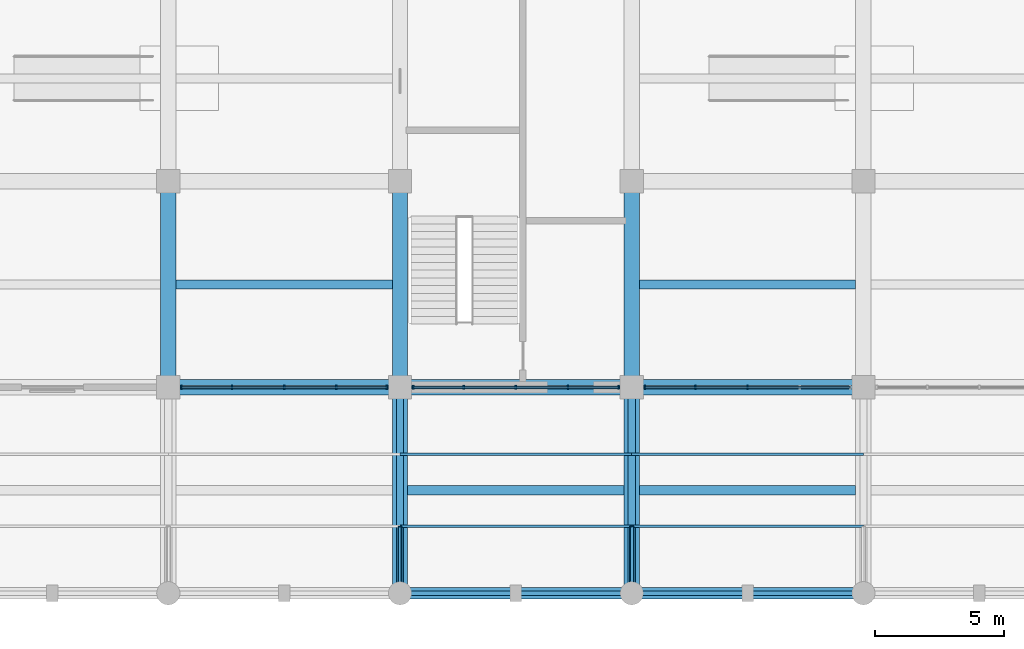
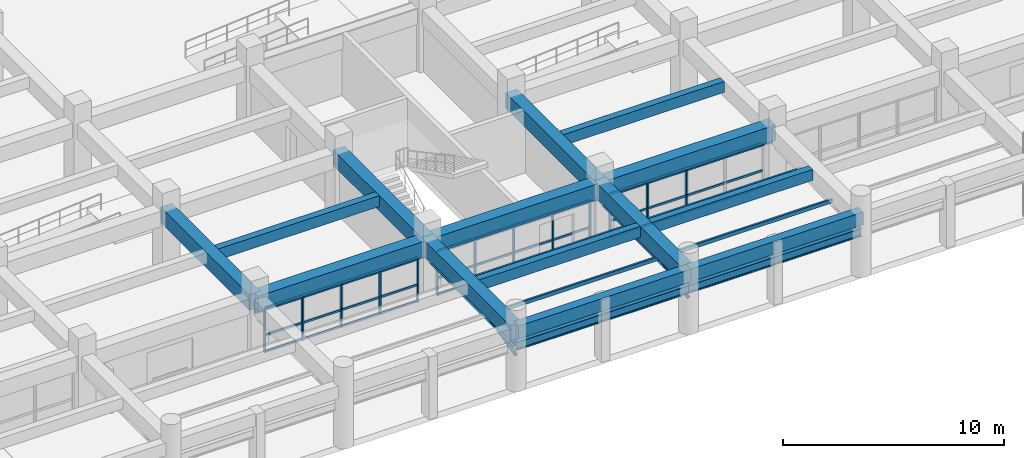
# One storey, part 5 of 40: 33 members, 16 beams, 3 elements without a shape of their own.
"""IFC4 building model written with IfcOpenShell, lengths in metres."""

from ifc_helpers import new_model, si_unit, direction, frame, origin, origin_2d, place, context, subcontext, project, spatial, rectangle, hollow_rectangle, hollow_circle, i_section, extrude, material, material_profile, profile_set, type_object, element, aggregate, save


model = new_model("IFC4")

# Units and contexts
model_context = context("Model", 3, precision=1e-05, world=origin(), true_north=direction((0.0, 1.0)))
body_context = subcontext(model_context, "Body", "Model", "MODEL_VIEW")
ifc_project = project(units=[si_unit("LENGTHUNIT", "METRE"), si_unit("AREAUNIT", "SQUARE_METRE"), si_unit("VOLUMEUNIT", "CUBIC_METRE"), si_unit("PLANEANGLEUNIT", "RADIAN"), si_unit("MASSUNIT", "GRAM", prefix="KILO")], contexts=[model_context])

# Site, building, storey
site_placement = place(None, origin())
site = spatial("IfcSite", under=ifc_project, at=site_placement, CompositionType="ELEMENT")
building_placement = place(site_placement, origin())
building = spatial("IfcBuilding", under=site, at=building_placement, Name="Zaverband Oceanarium and Marine Research Institute", CompositionType="ELEMENT")
storey_placement = place(building_placement, origin())
storey = spatial("IfcBuildingStorey", under=building, at=storey_placement, Name="L00", CompositionType="ELEMENT", Elevation=0.0)

# Beams
ifc_material_1 = material(Name="Concrete C40/50", Category="concrete")
ifc_material_profile_1 = material_profile(ifc_material_1, rectangle(XDim=0.60009765625, YDim=0.85009765625, at=origin_2d()), Name="RC600x850")
ifc_profile_set_1 = profile_set([ifc_material_profile_1], Name="Concrete C40/50")
beam_type_1 = type_object("IfcBeamType", Name="BM-600x850", PredefinedType="BEAM", material=ifc_profile_set_1)
for number, where, z_axis, x_axis, name in (
    (1, (72.0, 8.0, 3.02490234375), (1.0, 0.0, 0.0), (0.0, 1.0, 0.0), "Primary floor girder BM-600x850"),
    (2, (81.0, 8.0, 3.02490234375), (1.0, 0.0, 0.0), (0.0, 1.0, 0.0), "Primary floor girder BM-600x850"),
    (3, (90.0, 8.0, 3.02490234375), (1.0, 0.0, 0.0), (0.0, 1.0, 0.0), "Primary floor girder BM-600x850"),
):
    element("IfcBeam", number, at=place(storey_placement, frame(where, z_axis=z_axis, x_axis=x_axis)), inside=storey, type_object=beam_type_1, Name=name, PredefinedType="BEAM", context=body_context, shape_type="SweptSolid", body=[
        extrude(rectangle(XDim=0.60009765625, YDim=0.85009765625, at=origin_2d()), origin(), (0.0, 0.0, 1.0), 9.0),
    ])
for number, where, z_axis, x_axis, name in (
    (4, (72.0, 8.0, 3.02490234375), (0.0, 1.0, 0.0), (-1.0, 0.0, 0.0), "Primary floor girder BM-600x850"),
    (5, (81.0, 0.0, 3.02490234375), (0.0, 1.0, 0.0), (-1.0, 0.0, 0.0), "Primary floor girder BM-600x850"),
    (6, (81.0, 8.0, 3.02490234375), (0.0, 1.0, 0.0), (-1.0, 0.0, 0.0), "Primary floor girder BM-600x850"),
    (7, (90.0, 0.0, 3.02490234375), (0.0, 1.0, 0.0), (-1.0, 0.0, 0.0), "Primary floor girder BM-600x850"),
    (8, (90.0, 8.0, 3.02490234375), (0.0, 1.0, 0.0), (-1.0, 0.0, 0.0), "Primary floor girder BM-600x850"),
):
    element("IfcBeam", number, at=place(storey_placement, frame(where, z_axis=z_axis, x_axis=x_axis)), inside=storey, type_object=beam_type_1, Name=name, PredefinedType="BEAM", context=body_context, shape_type="SweptSolid", body=[
        extrude(rectangle(XDim=0.60009765625, YDim=0.85009765625, at=origin_2d()), origin(), (0.0, 0.0, 1.0), 8.0),
    ])

# Members
ifc_material_2 = material(Name="Steel S355", Category="steel")
ifc_material_profile_2 = material_profile(ifc_material_2, hollow_rectangle(XDim=0.14990234375, YDim=0.25, WallThickness=0.010009765625, at=origin_2d()), Name="RHS250x150x10")
ifc_profile_set_2 = profile_set([ifc_material_profile_2], Name="Steel S355")
member_type_1 = type_object("IfcMemberType", Name="CHD-RHS250", PredefinedType="CHORD", material=ifc_profile_set_2)
for number, where, z_axis, x_axis, name in (
    (9, (72.0, 8.0, 2.4599609375), (1.0, 0.0, 0.0), (0.0, 1.0, 0.0), "Truss / crown chord CHD-RHS250"),
    (10, (81.0, 8.0, 2.4599609375), (1.0, 0.0, 0.0), (0.0, 1.0, 0.0), "Truss / crown chord CHD-RHS250"),
    (11, (90.0, 8.0, 2.4599609375), (1.0, 0.0, 0.0), (0.0, 1.0, 0.0), "Truss / crown chord CHD-RHS250"),
):
    element("IfcMember", number, at=place(storey_placement, frame(where, z_axis=z_axis, x_axis=x_axis)), inside=storey, type_object=member_type_1, Name=name, PredefinedType="CHORD", context=body_context, shape_type="SweptSolid", body=[
        extrude(hollow_rectangle(XDim=0.14990234375, YDim=0.25, WallThickness=0.010009765625, at=origin_2d()), origin(), (0.0, 0.0, 1.0), 9.0),
    ])

# Beams
ifc_material_profile_3 = material_profile(ifc_material_1, rectangle(XDim=0.35009765625, YDim=0.60009765625, at=origin_2d()), Name="RC350x600")
ifc_profile_set_3 = profile_set([ifc_material_profile_3], Name="Concrete C40/50")
beam_type_2 = type_object("IfcBeamType", Name="JST-350x600", PredefinedType="JOIST", material=ifc_profile_set_3)
for number, where, z_axis, x_axis, name in (
    (12, (72.300048828125, 12.0, 3.14990234375), (1.0, 0.0, 0.0), (0.0, 1.0, 0.0), "Secondary floor joist JST-350x600"),
    (13, (81.300048828125, 4.0, 3.14990234375), (1.0, 0.0, 0.0), (0.0, 1.0, 0.0), "Secondary floor joist JST-350x600"),
    (14, (90.300048828125, 4.0, 3.14990234375), (1.0, 0.0, 0.0), (0.0, 1.0, 0.0), "Secondary floor joist JST-350x600"),
    (15, (90.300048828125, 12.0, 3.14990234375), (1.0, 0.0, 0.0), (0.0, 1.0, 0.0), "Secondary floor joist JST-350x600"),
):
    element("IfcBeam", number, at=place(storey_placement, frame(where, z_axis=z_axis, x_axis=x_axis)), inside=storey, type_object=beam_type_2, Name=name, PredefinedType="JOIST", context=body_context, shape_type="SweptSolid", body=[
        extrude(rectangle(XDim=0.35009765625, YDim=0.60009765625, at=origin_2d()), origin(), (0.0, 0.0, 1.0), 8.39990234375),
    ])

# Curtain wall, members
ifc_material_3 = material(Name="Thermally broken anodized aluminium and solar-control glass", Category="aluminium")
curtain_wall_type = type_object("IfcCurtainWallType", Name="CW-UNIT-1800", PredefinedType="NOTDEFINED", material=ifc_material_3)
curtain_wall_1_placement = place(storey_placement, origin())
curtain_wall_1 = element("IfcCurtainWall", 16, at=curtain_wall_1_placement, inside=storey, type_object=curtain_wall_type, Name="Unitised glazed curtain wall CW-003", PredefinedType="NOTDEFINED")
ifc_material_4 = material(Name="Thermally broken anodized aluminium", Category="aluminium")
ifc_material_profile_4 = material_profile(ifc_material_4, rectangle(XDim=0.070068359375, YDim=0.14990234375, at=origin_2d()), Name="AL-MUL-70x150")
ifc_profile_set_4 = profile_set([ifc_material_profile_4], Name="Thermally broken anodized aluminium")
member_type_2 = type_object("IfcMemberType", Name="MUL-70x150", PredefinedType="MULLION", material=ifc_profile_set_4)
member_1_placement = place(storey_placement, frame((72.514892578125, 8.0, 0.0), z_axis=(0.0, 0.0, 1.0), x_axis=(1.0, 0.0, 0.0)))
member_1 = element("IfcMember", 17, at=member_1_placement, type_object=member_type_2, Name="Curtain wall vertical mullion MUL-70x150", PredefinedType="MULLION", context=body_context, shape_type="SweptSolid", body=[
    extrude(rectangle(XDim=0.070068359375, YDim=0.14990234375, at=origin_2d()), origin(), (0.0, 0.0, 1.0), 2.489990234375),
])
member_2_placement = place(storey_placement, frame((74.4775390625, 8.0, 0.0), z_axis=(0.0, 0.0, 1.0), x_axis=(1.0, 0.0, 0.0)))
member_2 = element("IfcMember", 18, at=member_2_placement, type_object=member_type_2, Name="Curtain wall vertical mullion MUL-70x150", PredefinedType="MULLION", context=body_context, shape_type="SweptSolid", body=[
    extrude(rectangle(XDim=0.070068359375, YDim=0.14990234375, at=origin_2d()), origin(), (0.0, 0.0, 1.0), 2.489990234375),
])
member_3_placement = place(storey_placement, frame((76.5, 8.0, 0.0), z_axis=(0.0, 0.0, 1.0), x_axis=(1.0, 0.0, 0.0)))
member_3 = element("IfcMember", 19, at=member_3_placement, type_object=member_type_2, Name="Curtain wall vertical mullion MUL-70x150", PredefinedType="MULLION", context=body_context, shape_type="SweptSolid", body=[
    extrude(rectangle(XDim=0.070068359375, YDim=0.14990234375, at=origin_2d()), origin(), (0.0, 0.0, 1.0), 2.489990234375),
])
member_4_placement = place(storey_placement, frame((78.5224609375, 8.0, 0.0), z_axis=(0.0, 0.0, 1.0), x_axis=(1.0, 0.0, 0.0)))
member_4 = element("IfcMember", 20, at=member_4_placement, type_object=member_type_2, Name="Curtain wall vertical mullion MUL-70x150", PredefinedType="MULLION", context=body_context, shape_type="SweptSolid", body=[
    extrude(rectangle(XDim=0.070068359375, YDim=0.14990234375, at=origin_2d()), origin(), (0.0, 0.0, 1.0), 2.489990234375),
])
member_5_placement = place(storey_placement, frame((80.485107421875, 8.0, 0.0), z_axis=(0.0, 0.0, 1.0), x_axis=(1.0, 0.0, 0.0)))
member_5 = element("IfcMember", 21, at=member_5_placement, type_object=member_type_2, Name="Curtain wall vertical mullion MUL-70x150", PredefinedType="MULLION", context=body_context, shape_type="SweptSolid", body=[
    extrude(rectangle(XDim=0.070068359375, YDim=0.14990234375, at=origin_2d()), origin(), (0.0, 0.0, 1.0), 2.489990234375),
])

curtain_wall_2_placement = place(storey_placement, origin())
curtain_wall_2 = element("IfcCurtainWall", 22, at=curtain_wall_2_placement, inside=storey, type_object=curtain_wall_type, Name="Unitised glazed curtain wall CW-004", PredefinedType="NOTDEFINED")
member_6_placement = place(storey_placement, frame((81.514892578125, 8.0, 0.0), z_axis=(0.0, 0.0, 1.0), x_axis=(1.0, 0.0, 0.0)))
member_6 = element("IfcMember", 23, at=member_6_placement, type_object=member_type_2, Name="Curtain wall vertical mullion MUL-70x150", PredefinedType="MULLION", context=body_context, shape_type="SweptSolid", body=[
    extrude(rectangle(XDim=0.070068359375, YDim=0.14990234375, at=origin_2d()), origin(), (0.0, 0.0, 1.0), 2.489990234375),
])
member_7_placement = place(storey_placement, frame((83.4775390625, 8.0, 0.0), z_axis=(0.0, 0.0, 1.0), x_axis=(1.0, 0.0, 0.0)))
member_7 = element("IfcMember", 24, at=member_7_placement, type_object=member_type_2, Name="Curtain wall vertical mullion MUL-70x150", PredefinedType="MULLION", context=body_context, shape_type="SweptSolid", body=[
    extrude(rectangle(XDim=0.070068359375, YDim=0.14990234375, at=origin_2d()), origin(), (0.0, 0.0, 1.0), 2.489990234375),
])
member_8_placement = place(storey_placement, frame((85.5, 8.0, 0.0), z_axis=(0.0, 0.0, 1.0), x_axis=(1.0, 0.0, 0.0)))
member_8 = element("IfcMember", 25, at=member_8_placement, type_object=member_type_2, Name="Curtain wall vertical mullion MUL-70x150", PredefinedType="MULLION", context=body_context, shape_type="SweptSolid", body=[
    extrude(rectangle(XDim=0.070068359375, YDim=0.14990234375, at=origin_2d()), origin(), (0.0, 0.0, 1.0), 2.489990234375),
])
member_9_placement = place(storey_placement, frame((87.5224609375, 8.0, 0.0), z_axis=(0.0, 0.0, 1.0), x_axis=(1.0, 0.0, 0.0)))
member_9 = element("IfcMember", 26, at=member_9_placement, type_object=member_type_2, Name="Curtain wall vertical mullion MUL-70x150", PredefinedType="MULLION", context=body_context, shape_type="SweptSolid", body=[
    extrude(rectangle(XDim=0.070068359375, YDim=0.14990234375, at=origin_2d()), origin(), (0.0, 0.0, 1.0), 2.489990234375),
])
member_10_placement = place(storey_placement, frame((89.485107421875, 8.0, 0.0), z_axis=(0.0, 0.0, 1.0), x_axis=(1.0, 0.0, 0.0)))
member_10 = element("IfcMember", 27, at=member_10_placement, type_object=member_type_2, Name="Curtain wall vertical mullion MUL-70x150", PredefinedType="MULLION", context=body_context, shape_type="SweptSolid", body=[
    extrude(rectangle(XDim=0.070068359375, YDim=0.14990234375, at=origin_2d()), origin(), (0.0, 0.0, 1.0), 2.489990234375),
])

curtain_wall_3_placement = place(storey_placement, origin())
curtain_wall_3 = element("IfcCurtainWall", 28, at=curtain_wall_3_placement, inside=storey, type_object=curtain_wall_type, Name="Unitised glazed curtain wall CW-005", PredefinedType="NOTDEFINED")
member_11_placement = place(storey_placement, frame((90.514892578125, 8.0, 0.0), z_axis=(0.0, 0.0, 1.0), x_axis=(1.0, 0.0, 0.0)))
member_11 = element("IfcMember", 29, at=member_11_placement, type_object=member_type_2, Name="Curtain wall vertical mullion MUL-70x150", PredefinedType="MULLION", context=body_context, shape_type="SweptSolid", body=[
    extrude(rectangle(XDim=0.070068359375, YDim=0.14990234375, at=origin_2d()), origin(), (0.0, 0.0, 1.0), 2.489990234375),
])
member_12_placement = place(storey_placement, frame((92.4775390625, 8.0, 0.0), z_axis=(0.0, 0.0, 1.0), x_axis=(1.0, 0.0, 0.0)))
member_12 = element("IfcMember", 30, at=member_12_placement, type_object=member_type_2, Name="Curtain wall vertical mullion MUL-70x150", PredefinedType="MULLION", context=body_context, shape_type="SweptSolid", body=[
    extrude(rectangle(XDim=0.070068359375, YDim=0.14990234375, at=origin_2d()), origin(), (0.0, 0.0, 1.0), 2.489990234375),
])
member_13_placement = place(storey_placement, frame((94.5, 8.0, 0.0), z_axis=(0.0, 0.0, 1.0), x_axis=(1.0, 0.0, 0.0)))
member_13 = element("IfcMember", 31, at=member_13_placement, type_object=member_type_2, Name="Curtain wall vertical mullion MUL-70x150", PredefinedType="MULLION", context=body_context, shape_type="SweptSolid", body=[
    extrude(rectangle(XDim=0.070068359375, YDim=0.14990234375, at=origin_2d()), origin(), (0.0, 0.0, 1.0), 2.489990234375),
])

# Members
ifc_material_profile_5 = material_profile(ifc_material_2, hollow_rectangle(XDim=0.10009765625, YDim=0.199951171875, WallThickness=0.008056640625, at=origin_2d()), Name="RHS200x100x8")
ifc_profile_set_5 = profile_set([ifc_material_profile_5], Name="Steel S355")
member_type_3 = type_object("IfcMemberType", Name="PUR-RHS200", PredefinedType="PURLIN", material=ifc_profile_set_5)
for number, where, z_axis, x_axis, name in (
    (32, (81.0, 2.60009765625, 2.3798828125), (1.0, 0.0, 0.0), (0.0, 1.0, 0.0), "Screen / canopy purlin PUR-RHS200"),
    (33, (81.0, 5.39990234375, 2.39990234375), (1.0, 0.0, 0.0), (0.0, 1.0, 0.0), "Screen / canopy purlin PUR-RHS200"),
    (34, (90.0, 2.60009765625, 2.3798828125), (1.0, 0.0, 0.0), (0.0, 1.0, 0.0), "Screen / canopy purlin PUR-RHS200"),
    (35, (90.0, 5.39990234375, 2.39990234375), (1.0, 0.0, 0.0), (0.0, 1.0, 0.0), "Screen / canopy purlin PUR-RHS200"),
):
    element("IfcMember", number, at=place(storey_placement, frame(where, z_axis=z_axis, x_axis=x_axis)), inside=storey, type_object=member_type_3, Name=name, PredefinedType="PURLIN", context=body_context, shape_type="SweptSolid", body=[
        extrude(hollow_rectangle(XDim=0.10009765625, YDim=0.199951171875, WallThickness=0.008056640625, at=origin_2d()), origin(), (0.0, 0.0, 1.0), 9.0),
    ])
ifc_material_profile_6 = material_profile(ifc_material_2, i_section(OverallWidth=0.280029296875, OverallDepth=0.27001953125, WebThickness=0.008056640625, FlangeThickness=0.012939453125, FilletRadius=0.02392578125, at=origin_2d()), Name="HEA280")
ifc_profile_set_6 = profile_set([ifc_material_profile_6], Name="Steel S355")
member_type_4 = type_object("IfcMemberType", Name="RAF-HEA280", PredefinedType="RAFTER", material=ifc_profile_set_6)
for number, where, z_axis, x_axis, name in (
    (36, (81.0, 0.0, 2.340087890625), (0.0, 0.999972049853, 0.007476597663), (-1.0, 0.0, 0.0), "Canopy / skylight rafter RAF-HEA280"),
    (37, (90.0, 0.0, 2.340087890625), (0.0, 0.999972049853, 0.007476597663), (-1.0, 0.0, 0.0), "Canopy / skylight rafter RAF-HEA280"),
):
    element("IfcMember", number, at=place(storey_placement, frame(where, z_axis=z_axis, x_axis=x_axis)), inside=storey, type_object=member_type_4, Name=name, PredefinedType="RAFTER", context=body_context, shape_type="SweptSolid", body=[
        extrude(i_section(OverallWidth=0.280029296875, OverallDepth=0.27001953125, WebThickness=0.008056640625, FlangeThickness=0.012939453125, FilletRadius=0.02392578125, at=origin_2d()), origin(), (0.0, 0.0, 1.0), 8.000244140625),
    ])

# Beams
ifc_material_profile_7 = material_profile(ifc_material_2, i_section(OverallWidth=0.18994140625, OverallDepth=0.449951171875, WebThickness=0.009521484375, FlangeThickness=0.0146484375, FilletRadius=0.02099609375, at=origin_2d()), Name="IPE450")
ifc_profile_set_7 = profile_set([ifc_material_profile_7], Name="Steel S355")
beam_type_3 = type_object("IfcBeamType", Name="SB-IPE450", PredefinedType="BEAM", material=ifc_profile_set_7)
for number, where, z_axis, x_axis, name in (
    (38, (81.0, 0.0, 2.2548828125), (1.0, 0.0, 0.0), (0.0, 1.0, 0.0), "Canopy spine beam SB-IPE450"),
    (39, (90.0, 0.0, 2.2548828125), (1.0, 0.0, 0.0), (0.0, 1.0, 0.0), "Canopy spine beam SB-IPE450"),
):
    element("IfcBeam", number, at=place(storey_placement, frame(where, z_axis=z_axis, x_axis=x_axis)), inside=storey, type_object=beam_type_3, Name=name, PredefinedType="BEAM", context=body_context, shape_type="SweptSolid", body=[
        extrude(i_section(OverallWidth=0.18994140625, OverallDepth=0.449951171875, WebThickness=0.009521484375, FlangeThickness=0.0146484375, FilletRadius=0.02099609375, at=origin_2d()), origin(), (0.0, 0.0, 1.0), 9.0),
    ])
ifc_material_profile_8 = material_profile(ifc_material_1, rectangle(XDim=0.449951171875, YDim=0.699951171875, at=origin_2d()), Name="RC450x700")
ifc_profile_set_8 = profile_set([ifc_material_profile_8], Name="Concrete C40/50")
beam_type_4 = type_object("IfcBeamType", Name="SPN-450x700", PredefinedType="SPANDREL", material=ifc_profile_set_8)
for number, where, z_axis, x_axis, name in (
    (40, (81.0, 0.0, 3.10009765625), (1.0, 0.0, 0.0), (0.0, 1.0, 0.0), "Perimeter spandrel beam SPN-450x700"),
    (41, (90.0, 0.0, 3.10009765625), (1.0, 0.0, 0.0), (0.0, 1.0, 0.0), "Perimeter spandrel beam SPN-450x700"),
):
    element("IfcBeam", number, at=place(storey_placement, frame(where, z_axis=z_axis, x_axis=x_axis)), inside=storey, type_object=beam_type_4, Name=name, PredefinedType="SPANDREL", context=body_context, shape_type="SweptSolid", body=[
        extrude(rectangle(XDim=0.449951171875, YDim=0.699951171875, at=origin_2d()), origin(), (0.0, 0.0, 1.0), 9.0),
    ])

# Members
ifc_material_profile_9 = material_profile(ifc_material_2, hollow_circle(Radius=0.084228515625, WallThickness=0.00634765625, at=origin_2d()), Name="CHS168x6.3")
ifc_profile_set_9 = profile_set([ifc_material_profile_9], Name="Steel S355")
member_type_5 = type_object("IfcMemberType", Name="STR-CHS168", PredefinedType="STRUT", material=ifc_profile_set_9)
for number, where, z_axis, x_axis, name in (
    (42, (81.0, 0.0, 1.75), (0.0, 0.971888083866, 0.235443310458), (-1.0, 0.0, 0.0), "Canopy / tank strut STR-CHS168"),
    (43, (90.0, 0.0, 1.75), (0.0, 0.971888083866, 0.235443310458), (-1.0, 0.0, 0.0), "Canopy / tank strut STR-CHS168"),
):
    element("IfcMember", number, at=place(storey_placement, frame(where, z_axis=z_axis, x_axis=x_axis)), inside=storey, type_object=member_type_5, Name=name, PredefinedType="STRUT", context=body_context, shape_type="SweptSolid", body=[
        extrude(hollow_circle(Radius=0.084228515625, WallThickness=0.00634765625, at=origin_2d()), origin(), (0.0, 0.0, 1.0), 2.67529296875),
    ])

# Member
ifc_material_profile_10 = material_profile(ifc_material_4, rectangle(XDim=0.070068359375, YDim=0.114990234375, at=origin_2d()), Name="AL-TRN-70x115")
ifc_profile_set_10 = profile_set([ifc_material_profile_10], Name="Thermally broken anodized aluminium")
member_type_6 = type_object("IfcMemberType", Name="TRN-70x115", PredefinedType="USERDEFINED", material=ifc_profile_set_10)
member_14_placement = place(storey_placement, frame((72.514892578125, 8.0, 0.050048828125), z_axis=(1.0, 0.0, 0.0), x_axis=(0.0, 1.0, 0.0)))
member_14 = element("IfcMember", 44, at=member_14_placement, type_object=member_type_6, Name="Curtain wall horizontal transom TRN-70x115", ObjectType="TRANSOM", PredefinedType="USERDEFINED", context=body_context, shape_type="SweptSolid", body=[
    extrude(rectangle(XDim=0.070068359375, YDim=0.114990234375, at=origin_2d()), origin(), (0.0, 0.0, 1.0), 7.97021484375),
])

member_15_placement = place(storey_placement, frame((72.514892578125, 8.0, 0.951904296875), z_axis=(1.0, 0.0, 0.0), x_axis=(0.0, 1.0, 0.0)))
member_15 = element("IfcMember", 45, at=member_15_placement, type_object=member_type_6, Name="Curtain wall horizontal transom TRN-70x115", ObjectType="TRANSOM", PredefinedType="USERDEFINED", context=body_context, shape_type="SweptSolid", body=[
    extrude(rectangle(XDim=0.070068359375, YDim=0.114990234375, at=origin_2d()), origin(), (0.0, 0.0, 1.0), 7.97021484375),
])

member_16_placement = place(storey_placement, frame((72.514892578125, 8.0, 2.43994140625), z_axis=(1.0, 0.0, 0.0), x_axis=(0.0, 1.0, 0.0)))
member_16 = element("IfcMember", 46, at=member_16_placement, type_object=member_type_6, Name="Curtain wall horizontal transom TRN-70x115", ObjectType="TRANSOM", PredefinedType="USERDEFINED", context=body_context, shape_type="SweptSolid", body=[
    extrude(rectangle(XDim=0.070068359375, YDim=0.114990234375, at=origin_2d()), origin(), (0.0, 0.0, 1.0), 7.97021484375),
])

aggregate(curtain_wall_1, [member_1, member_2, member_3, member_4, member_5, member_14, member_15, member_16])

member_17_placement = place(storey_placement, frame((81.514892578125, 8.0, 0.050048828125), z_axis=(1.0, 0.0, 0.0), x_axis=(0.0, 1.0, 0.0)))
member_17 = element("IfcMember", 47, at=member_17_placement, type_object=member_type_6, Name="Curtain wall horizontal transom TRN-70x115", ObjectType="TRANSOM", PredefinedType="USERDEFINED", context=body_context, shape_type="SweptSolid", body=[
    extrude(rectangle(XDim=0.070068359375, YDim=0.114990234375, at=origin_2d()), origin(), (0.0, 0.0, 1.0), 7.97021484375),
])

member_18_placement = place(storey_placement, frame((81.514892578125, 8.0, 0.951904296875), z_axis=(1.0, 0.0, 0.0), x_axis=(0.0, 1.0, 0.0)))
member_18 = element("IfcMember", 48, at=member_18_placement, type_object=member_type_6, Name="Curtain wall horizontal transom TRN-70x115", ObjectType="TRANSOM", PredefinedType="USERDEFINED", context=body_context, shape_type="SweptSolid", body=[
    extrude(rectangle(XDim=0.070068359375, YDim=0.114990234375, at=origin_2d()), origin(), (0.0, 0.0, 1.0), 7.97021484375),
])

member_19_placement = place(storey_placement, frame((81.514892578125, 8.0, 2.43994140625), z_axis=(1.0, 0.0, 0.0), x_axis=(0.0, 1.0, 0.0)))
member_19 = element("IfcMember", 49, at=member_19_placement, type_object=member_type_6, Name="Curtain wall horizontal transom TRN-70x115", ObjectType="TRANSOM", PredefinedType="USERDEFINED", context=body_context, shape_type="SweptSolid", body=[
    extrude(rectangle(XDim=0.070068359375, YDim=0.114990234375, at=origin_2d()), origin(), (0.0, 0.0, 1.0), 7.97021484375),
])

aggregate(curtain_wall_2, [member_6, member_7, member_8, member_9, member_10, member_17, member_18, member_19])

member_20_placement = place(storey_placement, frame((90.514892578125, 8.0, 0.050048828125), z_axis=(1.0, 0.0, 0.0), x_axis=(0.0, 1.0, 0.0)))
member_20 = element("IfcMember", 50, at=member_20_placement, type_object=member_type_6, Name="Curtain wall horizontal transom TRN-70x115", ObjectType="TRANSOM", PredefinedType="USERDEFINED", context=body_context, shape_type="SweptSolid", body=[
    extrude(rectangle(XDim=0.070068359375, YDim=0.114990234375, at=origin_2d()), origin(), (0.0, 0.0, 1.0), 7.97021484375),
])

member_21_placement = place(storey_placement, frame((90.514892578125, 8.0, 0.951904296875), z_axis=(1.0, 0.0, 0.0), x_axis=(0.0, 1.0, 0.0)))
member_21 = element("IfcMember", 51, at=member_21_placement, type_object=member_type_6, Name="Curtain wall horizontal transom TRN-70x115", ObjectType="TRANSOM", PredefinedType="USERDEFINED", context=body_context, shape_type="SweptSolid", body=[
    extrude(rectangle(XDim=0.070068359375, YDim=0.114990234375, at=origin_2d()), origin(), (0.0, 0.0, 1.0), 7.97021484375),
])

member_22_placement = place(storey_placement, frame((90.514892578125, 8.0, 2.43994140625), z_axis=(1.0, 0.0, 0.0), x_axis=(0.0, 1.0, 0.0)))
member_22 = element("IfcMember", 52, at=member_22_placement, type_object=member_type_6, Name="Curtain wall horizontal transom TRN-70x115", ObjectType="TRANSOM", PredefinedType="USERDEFINED", context=body_context, shape_type="SweptSolid", body=[
    extrude(rectangle(XDim=0.070068359375, YDim=0.114990234375, at=origin_2d()), origin(), (0.0, 0.0, 1.0), 7.97021484375),
])

aggregate(curtain_wall_3, [member_11, member_12, member_13, member_20, member_21, member_22])

save(model, "model.ifc")
